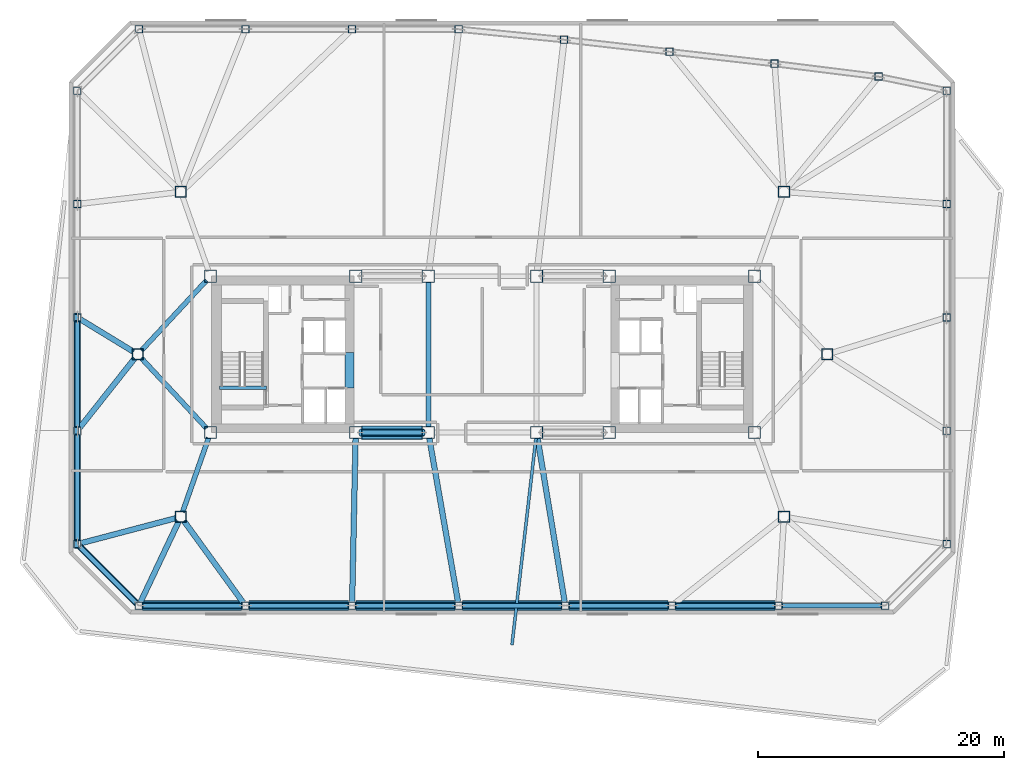
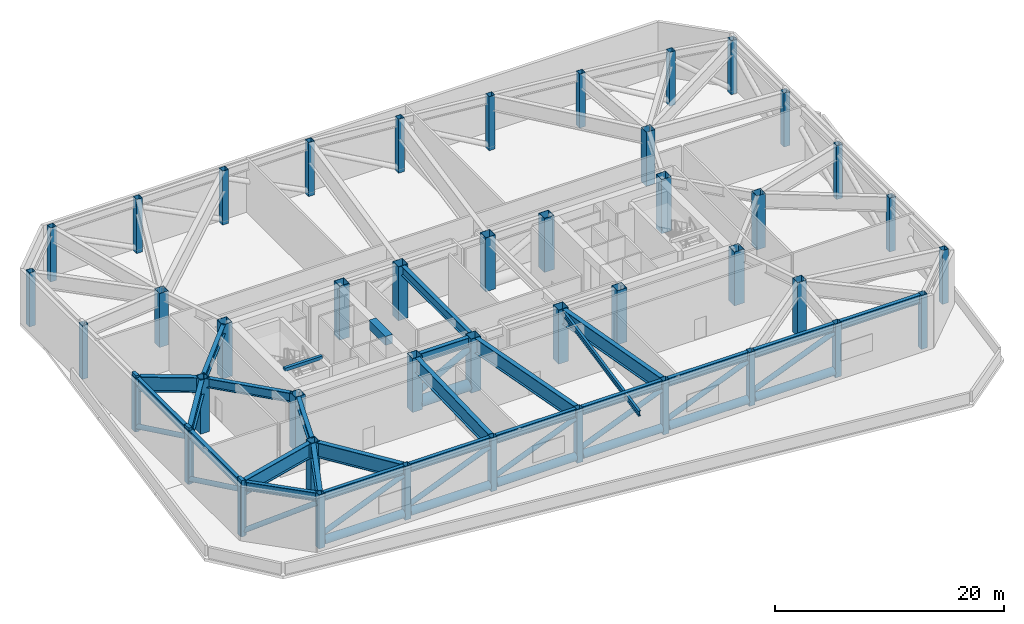
# One storey, part 1 of 12: 44 columns, 26 beams, 20 members.
"""IFC4 building model written with IfcOpenShell, lengths in metres."""

from ifc_helpers import new_model, si_unit, direction, frame, origin, origin_2d, place, context, subcontext, project, spatial, rectangle, hollow_rectangle, hollow_circle, i_section, extrude, material, material_profile, profile_set, type_object, element, save


model = new_model("IFC4")

# Units and contexts
model_context = context("Model", 3, precision=1e-05, world=origin(), true_north=direction((0.0, 1.0)))
body_context = subcontext(model_context, "Body", "Model", "MODEL_VIEW")
ifc_project = project(units=[si_unit("LENGTHUNIT", "METRE"), si_unit("AREAUNIT", "SQUARE_METRE"), si_unit("VOLUMEUNIT", "CUBIC_METRE"), si_unit("PLANEANGLEUNIT", "RADIAN"), si_unit("MASSUNIT", "GRAM", prefix="KILO")], contexts=[model_context])

# Site, building, storey
site_placement = place(None, origin())
site = spatial("IfcSite", under=ifc_project, at=site_placement, CompositionType="ELEMENT")
building_placement = place(site_placement, origin())
building = spatial("IfcBuilding", under=site, at=building_placement, Name="Tavrogorsk Clinical Tower", CompositionType="ELEMENT")
storey_placement = place(building_placement, frame((0.0, 0.0, 146.199951171875)))
storey = spatial("IfcBuildingStorey", under=building, at=storey_placement, Name="L33", CompositionType="ELEMENT", Elevation=146.199951171875)

# Columns
ifc_material_1 = material(Name="Structural steel S440", Category="steel")
ifc_material_profile_1 = material_profile(ifc_material_1, hollow_rectangle(XDim=1.0, YDim=1.0, WallThickness=0.044921875, at=origin_2d()), Name="BOX-1000x1000x45")
ifc_profile_set_1 = profile_set([ifc_material_profile_1], Name="Structural steel S440")
column_type_1 = type_object("IfcColumnType", Name="MegaCol_BOX1000", PredefinedType="COLUMN", material=ifc_profile_set_1)
for number, where, z_axis, x_axis, name in (
    (1, (-22.10009765625, -6.35009765625, 0.0), (0.0, 0.0, 1.0), (1.0, 0.0, 0.0), "L33 Mega Column MC-W1"),
    (2, (-22.10009765625, 6.35009765625, 0.0), (0.0, 0.0, 1.0), (1.0, 0.0, 0.0), "L33 Mega Column MC-W2"),
    (3, (-10.300048828125, -6.35009765625, 0.0), (0.0, 0.0, 1.0), (1.0, 0.0, 0.0), "L33 Mega Column MC-W3"),
    (4, (-10.300048828125, 6.35009765625, 0.0), (0.0, 0.0, 1.0), (1.0, 0.0, 0.0), "L33 Mega Column MC-W4"),
    (5, (10.300048828125, -6.35009765625, 0.0), (0.0, 0.0, 1.0), (1.0, 0.0, 0.0), "L33 Mega Column MC-E1"),
    (6, (10.300048828125, 6.35009765625, 0.0), (0.0, 0.0, 1.0), (1.0, 0.0, 0.0), "L33 Mega Column MC-E2"),
    (7, (22.10009765625, -6.35009765625, 0.0), (0.0, 0.0, 1.0), (1.0, 0.0, 0.0), "L33 Mega Column MC-E3"),
    (8, (22.10009765625, 6.35009765625, 0.0), (0.0, 0.0, 1.0), (1.0, 0.0, 0.0), "L33 Mega Column MC-E4"),
    (9, (-4.39990234375, -6.35009765625, 0.0), (0.0, 0.0, 1.0), (1.0, 0.0, 0.0), "L33 Mega Column MC-C1"),
    (10, (4.39990234375, -6.35009765625, 0.0), (0.0, 0.0, 1.0), (1.0, 0.0, 0.0), "L33 Mega Column MC-C2"),
    (11, (-4.39990234375, 6.35009765625, 0.0), (0.0, 0.0, 1.0), (1.0, 0.0, 0.0), "L33 Mega Column MC-C3"),
    (12, (4.39990234375, 6.35009765625, 0.0), (0.0, 0.0, 1.0), (1.0, 0.0, 0.0), "L33 Mega Column MC-C4"),
):
    element("IfcColumn", number, at=place(storey_placement, frame(where, z_axis=z_axis, x_axis=x_axis)), inside=storey, type_object=column_type_1, Name=name, PredefinedType="COLUMN", context=body_context, shape_type="SweptSolid", body=[
        extrude(hollow_rectangle(XDim=1.0, YDim=1.0, WallThickness=0.044921875, at=origin_2d()), origin(), (0.0, 0.0, 1.0), 5.739990234375),
    ])
ifc_material_2 = material(Name="Structural steel S440", Category="steel")
ifc_material_profile_2 = material_profile(ifc_material_2, hollow_rectangle(XDim=0.89990234375, YDim=0.89990234375, WallThickness=0.0400390625, at=origin_2d()), Name="BOX-900x900x40")
ifc_profile_set_2 = profile_set([ifc_material_profile_2], Name="Structural steel S440")
column_type_2 = type_object("IfcColumnType", Name="MegaCol_BOX900", PredefinedType="COLUMN", material=ifc_profile_set_2)
for number, where, z_axis, x_axis, name in (
    (13, (-24.5, -13.199951171875, 0.0), (0.0, 0.0, 1.0), (1.0, 0.0, 0.0), "L33 Spine Pilotis Column MC-P1"),
    (14, (24.5, -13.199951171875, 0.0), (0.0, 0.0, 1.0), (1.0, 0.0, 0.0), "L33 Spine Pilotis Column MC-P2"),
    (15, (-24.5, 13.199951171875, 0.0), (0.0, 0.0, 1.0), (1.0, 0.0, 0.0), "L33 Spine Pilotis Column MC-P3"),
    (16, (24.5, 13.199951171875, 0.0), (0.0, 0.0, 1.0), (1.0, 0.0, 0.0), "L33 Spine Pilotis Column MC-P4"),
    (17, (-28.0, 0.0, 0.0), (0.0, 0.0, 1.0), (1.0, 0.0, 0.0), "L33 Spine Pilotis Column MC-P5"),
    (18, (28.0, 0.0, 0.0), (0.0, 0.0, 1.0), (1.0, 0.0, 0.0), "L33 Spine Pilotis Column MC-P6"),
):
    element("IfcColumn", number, at=place(storey_placement, frame(where, z_axis=z_axis, x_axis=x_axis)), inside=storey, type_object=column_type_2, Name=name, PredefinedType="COLUMN", context=body_context, shape_type="SweptSolid", body=[
        extrude(hollow_rectangle(XDim=0.89990234375, YDim=0.89990234375, WallThickness=0.0400390625, at=origin_2d()), origin(), (0.0, 0.0, 1.0), 5.739990234375),
    ])
ifc_material_3 = material(Name="Structural steel S440", Category="steel")
ifc_material_profile_3 = material_profile(ifc_material_3, hollow_rectangle(XDim=0.60009765625, YDim=0.60009765625, WallThickness=0.028076171875, at=origin_2d()), Name="BOX-600x600x28")
ifc_profile_set_3 = profile_set([ifc_material_profile_3], Name="Structural steel S440")
column_type_3 = type_object("IfcColumnType", Name="PerimCol_B3_BOX600", PredefinedType="COLUMN", material=ifc_profile_set_3)
for number, where, z_axis, x_axis, name in (
    (19, (-27.919921875, -20.419921875, 0.0), (0.0, 0.0, 1.0), (1.0, 0.0, 0.0), "L33 Perimeter Column S1"),
    (20, (-19.257080078125, -20.419921875, 0.0), (0.0, 0.0, 1.0), (1.0, 0.0, 0.0), "L33 Perimeter Column S2"),
    (21, (-10.59423828125, -20.419921875, 0.0), (0.0, 0.0, 1.0), (1.0, 0.0, 0.0), "L33 Perimeter Column S3"),
    (22, (-1.931396484375, -20.419921875, 0.0), (0.0, 0.0, 1.0), (1.0, 0.0, 0.0), "L33 Perimeter Column S4"),
    (23, (6.7314453125, -20.419921875, 0.0), (0.0, 0.0, 1.0), (1.0, 0.0, 0.0), "L33 Perimeter Column S5"),
    (24, (15.394287109375, -20.419921875, 0.0), (0.0, 0.0, 1.0), (1.0, 0.0, 0.0), "L33 Perimeter Column S6"),
    (25, (24.05712890625, -20.419921875, 0.0), (0.0, 0.0, 1.0), (1.0, 0.0, 0.0), "L33 Perimeter Column S7"),
    (26, (32.719970703125, -20.419921875, 0.0), (0.0, 0.0, 1.0), (1.0, 0.0, 0.0), "L33 Perimeter Column S8"),
    (27, (32.19140625, 22.56591796875, 0.0), (0.0, 0.0, 1.0), (1.0, 0.0, 0.0), "L33 Perimeter Column N1"),
    (28, (23.73779296875, 23.617919921875, 0.0), (0.0, 0.0, 1.0), (1.0, 0.0, 0.0), "L33 Perimeter Column N2"),
    (29, (15.18603515625, 24.59228515625, 0.0), (0.0, 0.0, 1.0), (1.0, 0.0, 0.0), "L33 Perimeter Column N3"),
    (30, (6.63427734375, 25.566650390625, 0.0), (0.0, 0.0, 1.0), (1.0, 0.0, 0.0), "L33 Perimeter Column N4"),
    (31, (-1.931396484375, 26.419921875, 0.0), (0.0, 0.0, 1.0), (1.0, 0.0, 0.0), "L33 Perimeter Column N5"),
    (32, (-10.59423828125, 26.419921875, 0.0), (0.0, 0.0, 1.0), (1.0, 0.0, 0.0), "L33 Perimeter Column N6"),
    (33, (-19.257080078125, 26.419921875, 0.0), (0.0, 0.0, 1.0), (1.0, 0.0, 0.0), "L33 Perimeter Column N7"),
    (34, (-27.919921875, 26.419921875, 0.0), (0.0, 0.0, 1.0), (1.0, 0.0, 0.0), "L33 Perimeter Column N8"),
    (35, (37.719970703125, -15.419921875, 0.0), (0.0, 0.0, 1.0), (1.0, 0.0, 0.0), "L33 Perimeter Column E1"),
    (36, (37.719970703125, -6.2099609375, 0.0), (0.0, 0.0, 1.0), (1.0, 0.0, 0.0), "L33 Perimeter Column E2"),
    (37, (37.719970703125, 3.0, 0.0), (0.0, 0.0, 1.0), (1.0, 0.0, 0.0), "L33 Perimeter Column E3"),
    (38, (37.719970703125, 12.2099609375, 0.0), (0.0, 0.0, 1.0), (1.0, 0.0, 0.0), "L33 Perimeter Column E4"),
    (39, (37.719970703125, 21.419921875, 0.0), (0.0, 0.0, 1.0), (1.0, 0.0, 0.0), "L33 Perimeter Column E5"),
    (40, (-32.919921875, 21.419921875, 0.0), (0.0, 0.0, 1.0), (1.0, 0.0, 0.0), "L33 Perimeter Column W1"),
    (41, (-32.919921875, 12.2099609375, 0.0), (0.0, 0.0, 1.0), (1.0, 0.0, 0.0), "L33 Perimeter Column W2"),
    (42, (-32.919921875, 3.0, 0.0), (0.0, 0.0, 1.0), (1.0, 0.0, 0.0), "L33 Perimeter Column W3"),
    (43, (-32.919921875, -6.2099609375, 0.0), (0.0, 0.0, 1.0), (1.0, 0.0, 0.0), "L33 Perimeter Column W4"),
    (44, (-32.919921875, -15.419921875, 0.0), (0.0, 0.0, 1.0), (1.0, 0.0, 0.0), "L33 Perimeter Column W5"),
):
    element("IfcColumn", number, at=place(storey_placement, frame(where, z_axis=z_axis, x_axis=x_axis)), inside=storey, type_object=column_type_3, Name=name, PredefinedType="COLUMN", context=body_context, shape_type="SweptSolid", body=[
        extrude(hollow_rectangle(XDim=0.60009765625, YDim=0.60009765625, WallThickness=0.028076171875, at=origin_2d()), origin(), (0.0, 0.0, 1.0), 5.739990234375),
    ])

# Beam
ifc_material_4 = material(Name="Concrete B80", Category="concrete")
ifc_material_profile_4 = material_profile(ifc_material_4, rectangle(XDim=0.699951171875, YDim=0.949951171875, at=origin_2d()), Name="RC-CB-700x950")
ifc_profile_set_4 = profile_set([ifc_material_profile_4], Name="Concrete B80")
beam_type_1 = type_object("IfcBeamType", Name="CouplingBeam_RC700x950", PredefinedType="LINTEL", material=ifc_profile_set_4)
beam_1_placement = place(storey_placement, frame((-10.800048828125, -2.75, 5.26513671875), z_axis=(0.0, 1.0, 0.0), x_axis=(-1.0, 0.0, 0.0)))
element("IfcBeam", 45, at=beam_1_placement, inside=storey, type_object=beam_type_1, Name="L33 Core West Coupling Beam", PredefinedType="LINTEL", context=body_context, shape_type="SweptSolid", body=[
    extrude(rectangle(XDim=0.699951171875, YDim=0.949951171875, at=origin_2d()), origin(), (0.0, 0.0, 1.0), 2.89990234375),
])

# Members
ifc_material_5 = material(Name="Structural steel S440", Category="steel")
ifc_material_profile_5 = material_profile(ifc_material_5, hollow_circle(Radius=0.25390625, WallThickness=0.02001953125, at=origin_2d()), Name="CHS-508x20")
ifc_profile_set_5 = profile_set([ifc_material_profile_5], Name="Structural steel S440")
member_type_1 = type_object("IfcMemberType", Name="ExoBrace_CHS508", PredefinedType="BRACE", material=ifc_profile_set_5)
member_1_placement = place(storey_placement, frame((-27.635009765625, -20.419921875, 1.366455078125), z_axis=(0.925689238979, 0.0, 0.37828485674), x_axis=(0.0, 1.0, 0.0)))
element("IfcMember", 46, at=member_1_placement, inside=storey, type_object=member_type_1, Name="L33 Exoskeleton Belt Diagonal S1-S2", PredefinedType="BRACE", context=body_context, shape_type="SweptSolid", body=[
    extrude(hollow_circle(Radius=0.25390625, WallThickness=0.02001953125, at=origin_2d()), origin(), (0.0, 0.0, 1.0), 8.742431640625),
])
for number, where, z_axis, x_axis, name in (
    (47, (-18.971923828125, -20.419921875, 1.366455078125), (0.925685242637, 0.0, 0.378294635918), (0.0, 1.0, 0.0), "L33 Exoskeleton Belt Diagonal S2-S3"),
    (48, (-10.30908203125, -20.419921875, 1.366455078125), (0.925685242637, 0.0, 0.378294635918), (0.0, 1.0, 0.0), "L33 Exoskeleton Belt Diagonal S3-S4"),
    (49, (-1.646240234375, -20.419921875, 1.366455078125), (0.925685242637, 0.0, 0.378294635918), (0.0, 1.0, 0.0), "L33 Exoskeleton Belt Diagonal S4-S5"),
    (50, (7.0166015625, -20.419921875, 1.366455078125), (0.925685242637, 0.0, 0.378294635918), (0.0, 1.0, 0.0), "L33 Exoskeleton Belt Diagonal S5-S6"),
    (51, (15.679443359375, -20.419921875, 1.366455078125), (0.925685242637, 0.0, 0.378294635918), (0.0, 1.0, 0.0), "L33 Exoskeleton Belt Diagonal S6-S7"),
):
    element("IfcMember", number, at=place(storey_placement, frame(where, z_axis=z_axis, x_axis=x_axis)), inside=storey, type_object=member_type_1, Name=name, PredefinedType="BRACE", context=body_context, shape_type="SweptSolid", body=[
        extrude(hollow_circle(Radius=0.25390625, WallThickness=0.02001953125, at=origin_2d()), origin(), (0.0, 0.0, 1.0), 8.7421875),
    ])
member_2_placement = place(storey_placement, frame((-32.919921875, 2.72265625, 0.48388671875), z_axis=(0.0, -0.900797789512, 0.434238808043), x_axis=(1.0, 0.0, 0.0)))
element("IfcMember", 52, at=member_2_placement, inside=storey, type_object=member_type_1, Name="L33 Exoskeleton Belt Diagonal W3-W4", PredefinedType="BRACE", context=body_context, shape_type="SweptSolid", body=[
    extrude(hollow_circle(Radius=0.25390625, WallThickness=0.02001953125, at=origin_2d()), origin(), (0.0, 0.0, 1.0), 9.6083984375),
])
member_3_placement = place(storey_placement, frame((-32.919921875, -6.487548828125, 0.48388671875), z_axis=(0.0, -0.900792998152, 0.43424874724), x_axis=(1.0, 0.0, 0.0)))
element("IfcMember", 53, at=member_3_placement, inside=storey, type_object=member_type_1, Name="L33 Exoskeleton Belt Diagonal W4-W5", PredefinedType="BRACE", context=body_context, shape_type="SweptSolid", body=[
    extrude(hollow_circle(Radius=0.25390625, WallThickness=0.02001953125, at=origin_2d()), origin(), (0.0, 0.0, 1.0), 9.608154296875),
])
member_4_placement = place(storey_placement, frame((-32.735595703125, -15.6044921875, 0.513916015625), z_axis=(0.598845362179, -0.598845362179, 0.531759780723), x_axis=(0.707106781187, 0.707106781187, 0.0)))
element("IfcMember", 54, at=member_4_placement, inside=storey, type_object=member_type_1, Name="L33 Exoskeleton Belt Diagonal W5-S1", PredefinedType="BRACE", context=body_context, shape_type="SweptSolid", body=[
    extrude(hollow_circle(Radius=0.25390625, WallThickness=0.02001953125, at=origin_2d()), origin(), (0.0, 0.0, 1.0), 7.7333984375),
])
ifc_material_6 = material(Name="Structural steel S440", Category="steel")
ifc_material_profile_6 = material_profile(ifc_material_6, hollow_circle(Radius=0.406494140625, WallThickness=0.031982421875, at=origin_2d()), Name="CHS-813x32")
ifc_profile_set_6 = profile_set([ifc_material_profile_6], Name="Structural steel S440")
member_type_2 = type_object("IfcMemberType", Name="ExoChord_CHS813", PredefinedType="CHORD", material=ifc_profile_set_6)
for number, where, z_axis, x_axis, name in (
    (55, (-27.612060546875, -20.419921875, 0.580078125), (1.0, 0.0, 0.0), (0.0, 1.0, 0.0), "L33 Exoskeleton Belt Chord S1-S2"),
    (56, (-18.94921875, -20.419921875, 0.580078125), (1.0, 0.0, 0.0), (0.0, 1.0, 0.0), "L33 Exoskeleton Belt Chord S2-S3"),
    (57, (-10.286376953125, -20.419921875, 0.580078125), (1.0, 0.0, 0.0), (0.0, 1.0, 0.0), "L33 Exoskeleton Belt Chord S3-S4"),
):
    element("IfcMember", number, at=place(storey_placement, frame(where, z_axis=z_axis, x_axis=x_axis)), inside=storey, type_object=member_type_2, Name=name, PredefinedType="CHORD", context=body_context, shape_type="SweptSolid", body=[
        extrude(hollow_circle(Radius=0.406494140625, WallThickness=0.031982421875, at=origin_2d()), origin(), (0.0, 0.0, 1.0), 8.046875),
    ])
member_5_placement = place(storey_placement, frame((-1.623291015625, -20.419921875, 0.580078125), z_axis=(1.0, 0.0, 0.0), x_axis=(0.0, 1.0, 0.0)))
element("IfcMember", 58, at=member_5_placement, inside=storey, type_object=member_type_2, Name="L33 Exoskeleton Belt Chord S4-S5", PredefinedType="CHORD", context=body_context, shape_type="SweptSolid", body=[
    extrude(hollow_circle(Radius=0.406494140625, WallThickness=0.031982421875, at=origin_2d()), origin(), (0.0, 0.0, 1.0), 8.046630859375),
])
member_6_placement = place(storey_placement, frame((7.039306640625, -20.419921875, 0.580078125), z_axis=(1.0, 0.0, 0.0), x_axis=(0.0, 1.0, 0.0)))
element("IfcMember", 59, at=member_6_placement, inside=storey, type_object=member_type_2, Name="L33 Exoskeleton Belt Chord S5-S6", PredefinedType="CHORD", context=body_context, shape_type="SweptSolid", body=[
    extrude(hollow_circle(Radius=0.406494140625, WallThickness=0.031982421875, at=origin_2d()), origin(), (0.0, 0.0, 1.0), 8.046875),
])
member_7_placement = place(storey_placement, frame((15.702392578125, -20.419921875, 0.580078125), z_axis=(1.0, 0.0, 0.0), x_axis=(0.0, 1.0, 0.0)))
element("IfcMember", 60, at=member_7_placement, inside=storey, type_object=member_type_2, Name="L33 Exoskeleton Belt Chord S6-S7", PredefinedType="CHORD", context=body_context, shape_type="SweptSolid", body=[
    extrude(hollow_circle(Radius=0.406494140625, WallThickness=0.031982421875, at=origin_2d()), origin(), (0.0, 0.0, 1.0), 8.046630859375),
])
ifc_material_7 = material(Name="Precast concrete B45 with limestone cladding", Category="masonry")
ifc_material_profile_7 = material_profile(ifc_material_7, rectangle(XDim=0.320068359375, YDim=0.719970703125, at=origin_2d()), Name="LIMESTONE-FIN-320x720")
ifc_profile_set_7 = profile_set([ifc_material_profile_7], Name="Precast concrete B45 with limestone cladding")
member_type_3 = type_object("IfcMemberType", Name="LimestonePleatFin_320x720", PredefinedType="USERDEFINED", material=ifc_profile_set_7)
for number, where, z_axis, x_axis, name in (
    (61, (-33.0, 3.0, 0.0), (0.0, 0.0, 1.0), (1.0, 0.0, 0.0), "L33 W Pleated Stone Fin 2"),
    (62, (-33.0, -6.2099609375, 0.0), (0.0, 0.0, 1.0), (1.0, 0.0, 0.0), "L33 W Pleated Stone Fin 3"),
    (63, (-33.0, -15.419921875, 0.0), (0.0, 0.0, 1.0), (1.0, 0.0, 0.0), "L33 W Pleated Stone Fin 4"),
):
    element("IfcMember", number, at=place(storey_placement, frame(where, z_axis=z_axis, x_axis=x_axis)), inside=storey, type_object=member_type_3, Name=name, ObjectType="FIN", PredefinedType="USERDEFINED", context=body_context, shape_type="SweptSolid", body=[
        extrude(rectangle(XDim=0.320068359375, YDim=0.719970703125, at=origin_2d()), origin(), (0.0, 0.0, 1.0), 6.0),
    ])
ifc_material_8 = material(Name="Structural steel S440", Category="steel")
ifc_material_profile_8 = material_profile(ifc_material_8, hollow_circle(Radius=0.550048828125, WallThickness=0.0400390625, at=origin_2d()), Name="CHS-1100x40")
ifc_profile_set_8 = profile_set([ifc_material_profile_8], Name="Structural steel S440")
member_type_4 = type_object("IfcMemberType", Name="OutriggerChord_CHS1100", PredefinedType="CHORD", material=ifc_profile_set_8)
member_8_placement = place(storey_placement, frame((-9.840087890625, -6.35009765625, 0.580078125), z_axis=(1.0, 0.0, 0.0), x_axis=(0.0, 1.0, 0.0)))
element("IfcMember", 64, at=member_8_placement, inside=storey, type_object=member_type_4, Name="L33 Outrigger Bottom Chord 01", PredefinedType="CHORD", context=body_context, shape_type="SweptSolid", body=[
    extrude(hollow_circle(Radius=0.550048828125, WallThickness=0.0400390625, at=origin_2d()), origin(), (0.0, 0.0, 1.0), 4.97998046875),
])
ifc_material_9 = material(Name="Structural steel S440", Category="steel")
ifc_material_profile_9 = material_profile(ifc_material_9, hollow_circle(Radius=0.304931640625, WallThickness=0.02490234375, at=origin_2d()), Name="CHS-610x25")
ifc_profile_set_9 = profile_set([ifc_material_profile_9], Name="Structural steel S440")
member_type_5 = type_object("IfcMemberType", Name="OutriggerDiag_CHS610", PredefinedType="BRACE", material=ifc_profile_set_9)
member_9_placement = place(storey_placement, frame((-9.89599609375, -6.35009765625, 1.699951171875), z_axis=(0.878418148734, 0.0, 0.477892828963), x_axis=(0.0, 1.0, 0.0)))
element("IfcMember", 65, at=member_9_placement, inside=storey, type_object=member_type_5, Name="L33 Outrigger Diagonal 01", PredefinedType="BRACE", context=body_context, shape_type="SweptSolid", body=[
    extrude(hollow_circle(Radius=0.304931640625, WallThickness=0.02490234375, at=origin_2d()), origin(), (0.0, 0.0, 1.0), 5.796875),
])

# Beams
ifc_material_10 = material(Name="Structural steel S390", Category="steel")
ifc_material_profile_10 = material_profile(ifc_material_10, i_section(OverallWidth=0.239990234375, OverallDepth=0.550048828125, WebThickness=0.013916015625, FlangeThickness=0.02197265625, at=origin_2d()), Name="B-550x240x14x22")
ifc_profile_set_10 = profile_set([ifc_material_profile_10], Name="Structural steel S390")
beam_type_2 = type_object("IfcBeamType", Name="SpandrelBeam_B550", PredefinedType="SPANDREL", material=ifc_profile_set_10)
beam_2_placement = place(storey_placement, frame((4.346923828125, -6.806884765625, 5.445068359375), z_axis=(-0.115169487528, -0.993345855753, 0.0), x_axis=(0.993345855753, -0.115169487528, 0.0)))
element("IfcBeam", 66, at=beam_2_placement, inside=storey, type_object=beam_type_2, Name="L34 Spiral Terrace Cantilever Beam 2", PredefinedType="SPANDREL", context=body_context, shape_type="SweptSolid", body=[
    extrude(i_section(OverallWidth=0.239990234375, OverallDepth=0.550048828125, WebThickness=0.013916015625, FlangeThickness=0.02197265625, at=origin_2d()), origin(), (0.0, 0.0, 1.0), 16.90576171875),
])
ifc_material_11 = material(Name="Concrete B60", Category="concrete")
ifc_material_profile_11 = material_profile(ifc_material_11, rectangle(XDim=0.300048828125, YDim=0.35009765625, at=origin_2d()), Name="RC-SHB-300x350")
ifc_profile_set_11 = profile_set([ifc_material_profile_11], Name="Concrete B60")
beam_type_3 = type_object("IfcBeamType", Name="StairHeaderBeam_RC300x350", PredefinedType="BEAM", material=ifc_profile_set_11)
beam_3_placement = place(storey_placement, frame((-21.35009765625, -2.719970703125, 5.824951171875), z_axis=(1.0, 0.0, 0.0), x_axis=(0.0, 1.0, 0.0)))
element("IfcBeam", 67, at=beam_3_placement, inside=storey, type_object=beam_type_3, Name="L34 ST-W Landing Header Beam", PredefinedType="BEAM", context=body_context, shape_type="SweptSolid", body=[
    extrude(rectangle(XDim=0.300048828125, YDim=0.35009765625, at=origin_2d()), origin(), (0.0, 0.0, 1.0), 3.800048828125),
])
ifc_material_12 = material(Name="Structural steel S440", Category="steel")
ifc_material_profile_12 = material_profile(ifc_material_12, i_section(OverallWidth=0.39990234375, OverallDepth=1.0, WebThickness=0.028076171875, FlangeThickness=0.044921875, at=origin_2d()), Name="DK-1000x400x28x45")
ifc_profile_set_12 = profile_set([ifc_material_profile_12], Name="Structural steel S440")
beam_type_4 = type_object("IfcBeamType", Name="TransferGirder_DK1000", PredefinedType="USERDEFINED", material=ifc_profile_set_12)
beam_4_placement = place(storey_placement, frame((-9.840087890625, -6.35009765625, 5.239990234375), z_axis=(1.0, 0.0, 0.0), x_axis=(0.0, 1.0, 0.0)))
element("IfcBeam", 68, at=beam_4_placement, inside=storey, type_object=beam_type_4, Name="L33 Primary Spine Girder MG-01", ObjectType="GIRDER", PredefinedType="USERDEFINED", context=body_context, shape_type="SweptSolid", body=[
    extrude(i_section(OverallWidth=0.39990234375, OverallDepth=1.0, WebThickness=0.028076171875, FlangeThickness=0.044921875, at=origin_2d()), origin(), (0.0, 0.0, 1.0), 4.97998046875),
])
beam_5_placement = place(storey_placement, frame((-4.39990234375, -5.889892578125, 5.239990234375), z_axis=(0.0, 1.0, 0.0), x_axis=(-1.0, 0.0, 0.0)))
element("IfcBeam", 69, at=beam_5_placement, inside=storey, type_object=beam_type_4, Name="L33 Primary Spine Girder MG-07", ObjectType="GIRDER", PredefinedType="USERDEFINED", context=body_context, shape_type="SweptSolid", body=[
    extrude(i_section(OverallWidth=0.39990234375, OverallDepth=1.0, WebThickness=0.028076171875, FlangeThickness=0.044921875, at=origin_2d()), origin(), (0.0, 0.0, 1.0), 11.77978515625),
])
beam_6_placement = place(storey_placement, frame((-24.364501953125, -12.81298828125, 5.239990234375), z_axis=(0.330660234815, 0.943749865755, 0.0), x_axis=(-0.943749865755, 0.330660234815, 0.0)))
element("IfcBeam", 70, at=beam_6_placement, inside=storey, type_object=beam_type_4, Name="L33 Spine Link Girder OPG-1", ObjectType="GIRDER", PredefinedType="USERDEFINED", context=body_context, shape_type="SweptSolid", body=[
    extrude(i_section(OverallWidth=0.39990234375, OverallDepth=1.0, WebThickness=0.028076171875, FlangeThickness=0.044921875, at=origin_2d()), origin(), (0.0, 0.0, 1.0), 6.38818359375),
])
for number, where, z_axis, x_axis, name in (
    (71, (-27.720947265625, -0.30029296875, 5.239990234375), (0.680675630035, -0.732584934787, 0.0), (0.732584934787, 0.680675630035, 0.0), "L33 Spine Link Girder OPG-5"),
    (72, (-27.720947265625, 0.30029296875, 5.239990234375), (0.680675630035, 0.732584934787, 0.0), (-0.732584934787, 0.680675630035, 0.0), "L33 Spine Link Girder OPG-6"),
):
    element("IfcBeam", number, at=place(storey_placement, frame(where, z_axis=z_axis, x_axis=x_axis)), inside=storey, type_object=beam_type_4, Name=name, ObjectType="GIRDER", PredefinedType="USERDEFINED", context=body_context, shape_type="SweptSolid", body=[
        extrude(i_section(OverallWidth=0.39990234375, OverallDepth=1.0, WebThickness=0.028076171875, FlangeThickness=0.044921875, at=origin_2d()), origin(), (0.0, 0.0, 1.0), 7.7978515625),
    ])
ifc_material_13 = material(Name="Structural steel S440", Category="steel")
ifc_material_profile_13 = material_profile(ifc_material_13, i_section(OverallWidth=0.449951171875, OverallDepth=1.60009765625, WebThickness=0.031982421875, FlangeThickness=0.050048828125, at=origin_2d()), Name="DK-1600x450x32x50")
ifc_profile_set_13 = profile_set([ifc_material_profile_13], Name="Structural steel S440")
beam_type_5 = type_object("IfcBeamType", Name="TransferGirder_DK1600", PredefinedType="USERDEFINED", material=ifc_profile_set_13)
beam_7_placement = place(storey_placement, frame((-24.675537109375, -13.570556640625, 4.93994140625), z_axis=(-0.42808057121, -0.903740573701, 0.0), x_axis=(0.903740573701, -0.42808057121, 0.0)))
element("IfcBeam", 73, at=beam_7_placement, inside=storey, type_object=beam_type_5, Name="L33 Radial Floor Beam S1", ObjectType="GIRDER", PredefinedType="USERDEFINED", context=body_context, shape_type="SweptSolid", body=[
    extrude(i_section(OverallWidth=0.449951171875, OverallDepth=1.60009765625, WebThickness=0.031982421875, FlangeThickness=0.050048828125, at=origin_2d()), origin(), (0.0, 0.0, 1.0), 7.27099609375),
])
beam_8_placement = place(storey_placement, frame((-24.259033203125, -13.53173828125, 4.93994140625), z_axis=(0.587578845372, -0.809166917559, 0.0), x_axis=(0.809166917559, 0.587578845372, 0.0)))
element("IfcBeam", 74, at=beam_8_placement, inside=storey, type_object=beam_type_5, Name="L33 Radial Floor Beam S2", ObjectType="GIRDER", PredefinedType="USERDEFINED", context=body_context, shape_type="SweptSolid", body=[
    extrude(i_section(OverallWidth=0.449951171875, OverallDepth=1.60009765625, WebThickness=0.031982421875, FlangeThickness=0.050048828125, at=origin_2d()), origin(), (0.0, 0.0, 1.0), 8.204833984375),
])
beam_9_placement = place(storey_placement, frame((-10.3095703125, -6.809814453125, 4.93994140625), z_axis=(-0.020918227738, -0.999781189935, 0.0), x_axis=(0.999781189935, -0.020918227738, 0.0)))
element("IfcBeam", 75, at=beam_9_placement, inside=storey, type_object=beam_type_5, Name="L33 Radial Floor Beam S3", ObjectType="GIRDER", PredefinedType="USERDEFINED", context=body_context, shape_type="SweptSolid", body=[
    extrude(i_section(OverallWidth=0.449951171875, OverallDepth=1.60009765625, WebThickness=0.031982421875, FlangeThickness=0.050048828125, at=origin_2d()), origin(), (0.0, 0.0, 1.0), 13.30517578125),
])
beam_10_placement = place(storey_placement, frame((-4.320556640625, -6.802978515625, 4.93994140625), z_axis=(0.172813618802, -0.984954543701, 0.0), x_axis=(0.984954543701, 0.172813618802, 0.0)))
element("IfcBeam", 76, at=beam_10_placement, inside=storey, type_object=beam_type_5, Name="L33 Radial Floor Beam S4", ObjectType="GIRDER", PredefinedType="USERDEFINED", context=body_context, shape_type="SweptSolid", body=[
    extrude(i_section(OverallWidth=0.449951171875, OverallDepth=1.60009765625, WebThickness=0.031982421875, FlangeThickness=0.050048828125, at=origin_2d()), origin(), (0.0, 0.0, 1.0), 13.51708984375),
])
beam_11_placement = place(storey_placement, frame((4.47509765625, -6.8037109375, 4.93994140625), z_axis=(0.163483535462, -0.986546062601, 0.0), x_axis=(0.986546062601, 0.163483535462, 0.0)))
element("IfcBeam", 77, at=beam_11_placement, inside=storey, type_object=beam_type_5, Name="L33 Radial Floor Beam S5", ObjectType="GIRDER", PredefinedType="USERDEFINED", context=body_context, shape_type="SweptSolid", body=[
    extrude(i_section(OverallWidth=0.449951171875, OverallDepth=1.60009765625, WebThickness=0.031982421875, FlangeThickness=0.050048828125, at=origin_2d()), origin(), (0.0, 0.0, 1.0), 13.494140625),
])
beam_12_placement = place(storey_placement, frame((-28.35009765625, 0.21337890625, 4.93994140625), z_axis=(-0.853789879369, 0.520617750262, 0.0), x_axis=(-0.520617750262, -0.853789879369, 0.0)))
element("IfcBeam", 78, at=beam_12_placement, inside=storey, type_object=beam_type_5, Name="L33 Radial Floor Beam W3", ObjectType="GIRDER", PredefinedType="USERDEFINED", context=body_context, shape_type="SweptSolid", body=[
    extrude(i_section(OverallWidth=0.449951171875, OverallDepth=1.60009765625, WebThickness=0.031982421875, FlangeThickness=0.050048828125, at=origin_2d()), origin(), (0.0, 0.0, 1.0), 5.04443359375),
])
beam_13_placement = place(storey_placement, frame((-28.254638671875, -0.3212890625, 4.93994140625), z_axis=(-0.620993662543, -0.783815584868, 0.0), x_axis=(0.783815584868, -0.620993662543, 0.0)))
element("IfcBeam", 79, at=beam_13_placement, inside=storey, type_object=beam_type_5, Name="L33 Radial Floor Beam W4", ObjectType="GIRDER", PredefinedType="USERDEFINED", context=body_context, shape_type="SweptSolid", body=[
    extrude(i_section(OverallWidth=0.449951171875, OverallDepth=1.60009765625, WebThickness=0.031982421875, FlangeThickness=0.050048828125, at=origin_2d()), origin(), (0.0, 0.0, 1.0), 7.204833984375),
])
beam_14_placement = place(storey_placement, frame((-24.896484375, -13.304443359375, 4.93994140625), z_axis=(-0.966949342117, -0.254968566257, 0.0), x_axis=(0.254968566257, -0.966949342117, 0.0)))
element("IfcBeam", 80, at=beam_14_placement, inside=storey, type_object=beam_type_5, Name="L33 Radial Floor Beam W5", ObjectType="GIRDER", PredefinedType="USERDEFINED", context=body_context, shape_type="SweptSolid", body=[
    extrude(i_section(OverallWidth=0.449951171875, OverallDepth=1.60009765625, WebThickness=0.031982421875, FlangeThickness=0.050048828125, at=origin_2d()), origin(), (0.0, 0.0, 1.0), 7.98974609375),
])
ifc_material_14 = material(Name="Structural steel S440", Category="steel")
ifc_material_profile_14 = material_profile(ifc_material_14, i_section(OverallWidth=0.360107421875, OverallDepth=0.89990234375, WebThickness=0.02392578125, FlangeThickness=0.0400390625, at=origin_2d()), Name="DK-900x360x24x40")
ifc_profile_set_14 = profile_set([ifc_material_profile_14], Name="Structural steel S440")
beam_type_6 = type_object("IfcBeamType", Name="TransferGirder_DK900", PredefinedType="USERDEFINED", material=ifc_profile_set_14)
for number, where, z_axis, x_axis, name in (
    (81, (-27.612060546875, -20.419921875, 5.2900390625), (1.0, 0.0, 0.0), (0.0, 1.0, 0.0), "L33 Perimeter Spandrel S1-S2"),
    (82, (-18.94921875, -20.419921875, 5.2900390625), (1.0, 0.0, 0.0), (0.0, 1.0, 0.0), "L33 Perimeter Spandrel S2-S3"),
    (83, (-10.286376953125, -20.419921875, 5.2900390625), (1.0, 0.0, 0.0), (0.0, 1.0, 0.0), "L33 Perimeter Spandrel S3-S4"),
):
    element("IfcBeam", number, at=place(storey_placement, frame(where, z_axis=z_axis, x_axis=x_axis)), inside=storey, type_object=beam_type_6, Name=name, ObjectType="GIRDER", PredefinedType="USERDEFINED", context=body_context, shape_type="SweptSolid", body=[
        extrude(i_section(OverallWidth=0.360107421875, OverallDepth=0.89990234375, WebThickness=0.02392578125, FlangeThickness=0.0400390625, at=origin_2d()), origin(), (0.0, 0.0, 1.0), 8.046875),
    ])
beam_15_placement = place(storey_placement, frame((-1.623291015625, -20.419921875, 5.2900390625), z_axis=(1.0, 0.0, 0.0), x_axis=(0.0, 1.0, 0.0)))
element("IfcBeam", 84, at=beam_15_placement, inside=storey, type_object=beam_type_6, Name="L33 Perimeter Spandrel S4-S5", ObjectType="GIRDER", PredefinedType="USERDEFINED", context=body_context, shape_type="SweptSolid", body=[
    extrude(i_section(OverallWidth=0.360107421875, OverallDepth=0.89990234375, WebThickness=0.02392578125, FlangeThickness=0.0400390625, at=origin_2d()), origin(), (0.0, 0.0, 1.0), 8.046630859375),
])
beam_16_placement = place(storey_placement, frame((7.039306640625, -20.419921875, 5.2900390625), z_axis=(1.0, 0.0, 0.0), x_axis=(0.0, 1.0, 0.0)))
element("IfcBeam", 85, at=beam_16_placement, inside=storey, type_object=beam_type_6, Name="L33 Perimeter Spandrel S5-S6", ObjectType="GIRDER", PredefinedType="USERDEFINED", context=body_context, shape_type="SweptSolid", body=[
    extrude(i_section(OverallWidth=0.360107421875, OverallDepth=0.89990234375, WebThickness=0.02392578125, FlangeThickness=0.0400390625, at=origin_2d()), origin(), (0.0, 0.0, 1.0), 8.046875),
])
beam_17_placement = place(storey_placement, frame((15.702392578125, -20.419921875, 5.2900390625), z_axis=(1.0, 0.0, 0.0), x_axis=(0.0, 1.0, 0.0)))
element("IfcBeam", 86, at=beam_17_placement, inside=storey, type_object=beam_type_6, Name="L33 Perimeter Spandrel S6-S7", ObjectType="GIRDER", PredefinedType="USERDEFINED", context=body_context, shape_type="SweptSolid", body=[
    extrude(i_section(OverallWidth=0.360107421875, OverallDepth=0.89990234375, WebThickness=0.02392578125, FlangeThickness=0.0400390625, at=origin_2d()), origin(), (0.0, 0.0, 1.0), 8.046630859375),
])
beam_18_placement = place(storey_placement, frame((24.364990234375, -20.419921875, 5.2900390625), z_axis=(1.0, 0.0, 0.0), x_axis=(0.0, 1.0, 0.0)))
element("IfcBeam", 87, at=beam_18_placement, inside=storey, type_object=beam_type_6, Name="L33 Perimeter Spandrel S7-S8", ObjectType="GIRDER", PredefinedType="USERDEFINED", context=body_context, shape_type="SweptSolid", body=[
    extrude(i_section(OverallWidth=0.360107421875, OverallDepth=0.89990234375, WebThickness=0.02392578125, FlangeThickness=0.0400390625, at=origin_2d()), origin(), (0.0, 0.0, 1.0), 8.047119140625),
])
for number, where, z_axis, x_axis, name in (
    (88, (-32.919921875, 2.69189453125, 5.2900390625), (0.0, -1.0, 0.0), (1.0, 0.0, 0.0), "L33 Perimeter Spandrel W3-W4"),
    (89, (-32.919921875, -6.51806640625, 5.2900390625), (0.0, -1.0, 0.0), (1.0, 0.0, 0.0), "L33 Perimeter Spandrel W4-W5"),
):
    element("IfcBeam", number, at=place(storey_placement, frame(where, z_axis=z_axis, x_axis=x_axis)), inside=storey, type_object=beam_type_6, Name=name, ObjectType="GIRDER", PredefinedType="USERDEFINED", context=body_context, shape_type="SweptSolid", body=[
        extrude(i_section(OverallWidth=0.360107421875, OverallDepth=0.89990234375, WebThickness=0.02392578125, FlangeThickness=0.0400390625, at=origin_2d()), origin(), (0.0, 0.0, 1.0), 8.593994140625),
    ])
beam_19_placement = place(storey_placement, frame((-32.7021484375, -15.6376953125, 5.2900390625), z_axis=(0.707106781187, -0.707106781187, 0.0), x_axis=(0.707106781187, 0.707106781187, 0.0)))
element("IfcBeam", 90, at=beam_19_placement, inside=storey, type_object=beam_type_6, Name="L33 Perimeter Spandrel W5-S1", ObjectType="GIRDER", PredefinedType="USERDEFINED", context=body_context, shape_type="SweptSolid", body=[
    extrude(i_section(OverallWidth=0.360107421875, OverallDepth=0.89990234375, WebThickness=0.02392578125, FlangeThickness=0.0400390625, at=origin_2d()), origin(), (0.0, 0.0, 1.0), 6.455078125),
])

save(model, "model.ifc")
